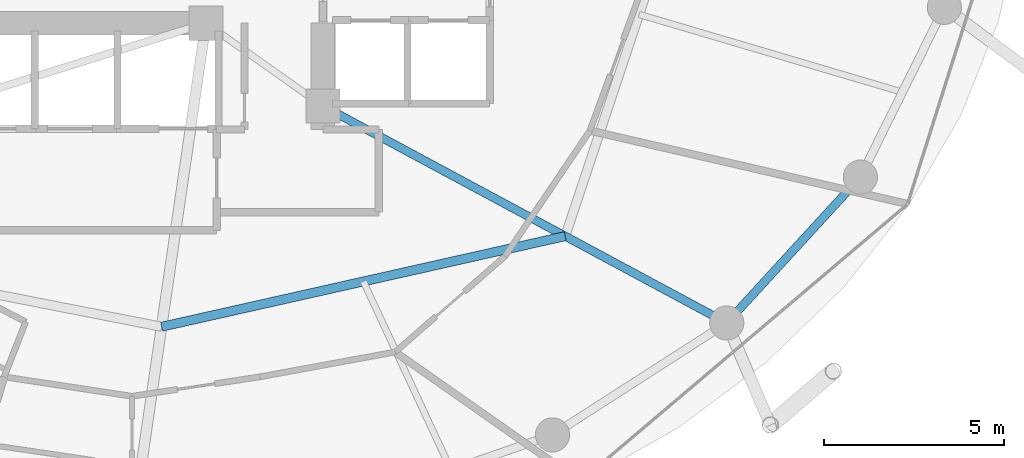
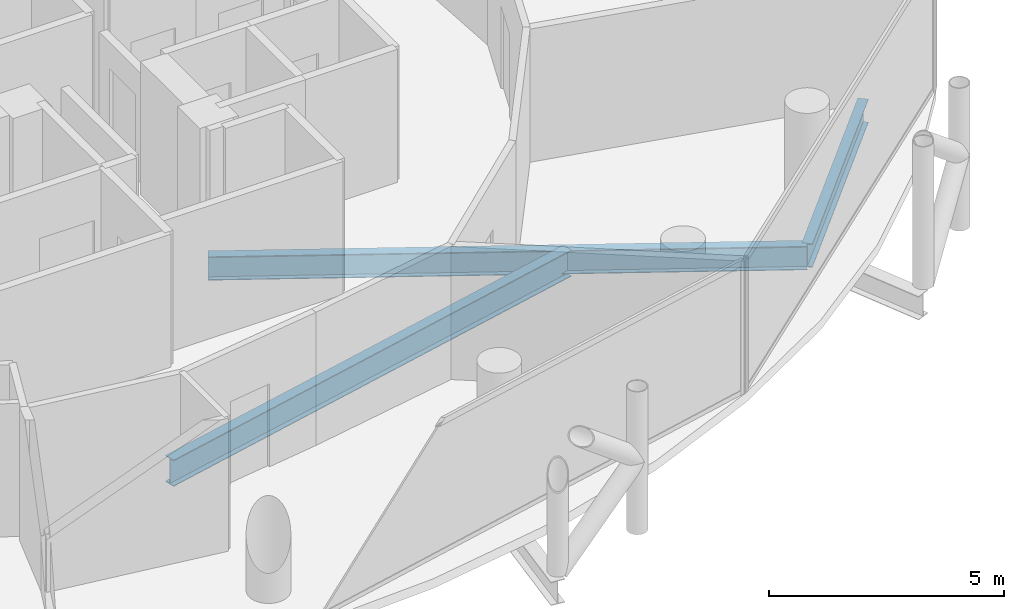
# One storey, part 9 of 26: 3 beams.
"""IFC4 building model written with IfcOpenShell, lengths in metres."""

from ifc_helpers import new_model, si_unit, direction, frame, origin, origin_2d, place, context, subcontext, project, spatial, i_section, extrude, material, material_profile, profile_set, type_object, element, save


model = new_model("IFC4")

# Units and contexts
model_context = context("Model", 3, precision=1e-05, world=origin(), true_north=direction((0.0, 1.0)))
body_context = subcontext(model_context, "Body", "Model", "MODEL_VIEW")
ifc_project = project(units=[si_unit("LENGTHUNIT", "METRE"), si_unit("AREAUNIT", "SQUARE_METRE"), si_unit("VOLUMEUNIT", "CUBIC_METRE"), si_unit("PLANEANGLEUNIT", "RADIAN"), si_unit("MASSUNIT", "GRAM", prefix="KILO")], contexts=[model_context])

# Site, building, storey
site_placement = place(None, origin())
site = spatial("IfcSite", under=ifc_project, at=site_placement, CompositionType="ELEMENT")
building_placement = place(site_placement, origin())
building = spatial("IfcBuilding", under=site, at=building_placement, Name="Nuhasar Tower", CompositionType="ELEMENT")
storey_placement = place(building_placement, frame((0.0, 0.0, 151.550048828125)))
storey = spatial("IfcBuildingStorey", under=building, at=storey_placement, Name="L36", CompositionType="ELEMENT", Elevation=151.550048828125)

# Beams
ifc_material = material(Name="Steel S355", Category="steel")
ifc_material_profile_1 = material_profile(ifc_material, i_section(OverallWidth=0.25390625, OverallDepth=0.68408203125, WebThickness=0.012451171875, FlangeThickness=0.018798828125, at=origin_2d()), Name="W27X94")
ifc_profile_set_1 = profile_set([ifc_material_profile_1], Name="Steel S355")
beam_type_1 = type_object("IfcBeamType", Name="BM-INRING-W27X94", PredefinedType="BEAM", material=ifc_profile_set_1)
beam_1_placement = place(storey_placement, frame((39.820068359375, 12.8701171875, -0.592041015625), z_axis=(0.975716159385, 0.219038755282, 0.0), x_axis=(-0.219038755282, 0.975716159385, 0.0)))
element("IfcBeam", 1, at=beam_1_placement, inside=storey, type_object=beam_type_1, Name="L36 Inner Header Beam 02", PredefinedType="BEAM", context=body_context, shape_type="SweptSolid", body=[
    extrude(i_section(OverallWidth=0.25390625, OverallDepth=0.68408203125, WebThickness=0.012451171875, FlangeThickness=0.018798828125, at=origin_2d()), origin(), (0.0, 0.0, 1.0), 11.48583984375),
])
ifc_material_profile_2 = material_profile(ifc_material, i_section(OverallWidth=0.22900390625, OverallDepth=0.612060546875, WebThickness=0.011962890625, FlangeThickness=0.01953125, at=origin_2d()), Name="W24X84")
ifc_profile_set_2 = profile_set([ifc_material_profile_2], Name="Steel S355")
beam_type_2 = type_object("IfcBeamType", Name="BM-RAD-W24X84", PredefinedType="BEAM", material=ifc_profile_set_2)
beam_2_placement = place(storey_placement, frame((44.300048828125, 19.0, -0.55615234375), z_axis=(0.880888386928, -0.473324043098, 0.0), x_axis=(0.473324043098, 0.880888386928, 0.0)))
element("IfcBeam", 2, at=beam_2_placement, inside=storey, type_object=beam_type_2, Name="L36 Radial Floor Girder 03", PredefinedType="BEAM", context=body_context, shape_type="SweptSolid", body=[
    extrude(i_section(OverallWidth=0.22900390625, OverallDepth=0.612060546875, WebThickness=0.011962890625, FlangeThickness=0.01953125, at=origin_2d()), origin(), (0.0, 0.0, 1.0), 12.726806640625),
])
ifc_material_profile_3 = material_profile(ifc_material, i_section(OverallWidth=0.22998046875, OverallDepth=0.616943359375, WebThickness=0.01318359375, FlangeThickness=0.022216796875, at=origin_2d()), Name="W24X94")
ifc_profile_set_3 = profile_set([ifc_material_profile_3], Name="Steel S355")
beam_type_3 = type_object("IfcBeamType", Name="BM-RING-W24X94", PredefinedType="SPANDREL", material=ifc_profile_set_3)
beam_3_placement = place(storey_placement, frame((55.510986328125, 12.97607421875, -0.55810546875), z_axis=(0.675676316545, 0.737198423262, 0.0), x_axis=(-0.737198423262, 0.675676316545, 0.0)))
element("IfcBeam", 3, at=beam_3_placement, inside=storey, type_object=beam_type_3, Name="L36 Perimeter Ring Spandrel 22", PredefinedType="SPANDREL", context=body_context, shape_type="SweptSolid", body=[
    extrude(i_section(OverallWidth=0.22998046875, OverallDepth=0.616943359375, WebThickness=0.01318359375, FlangeThickness=0.022216796875, at=origin_2d()), origin(), (0.0, 0.0, 1.0), 5.4921875),
])

save(model, "model.ifc")
